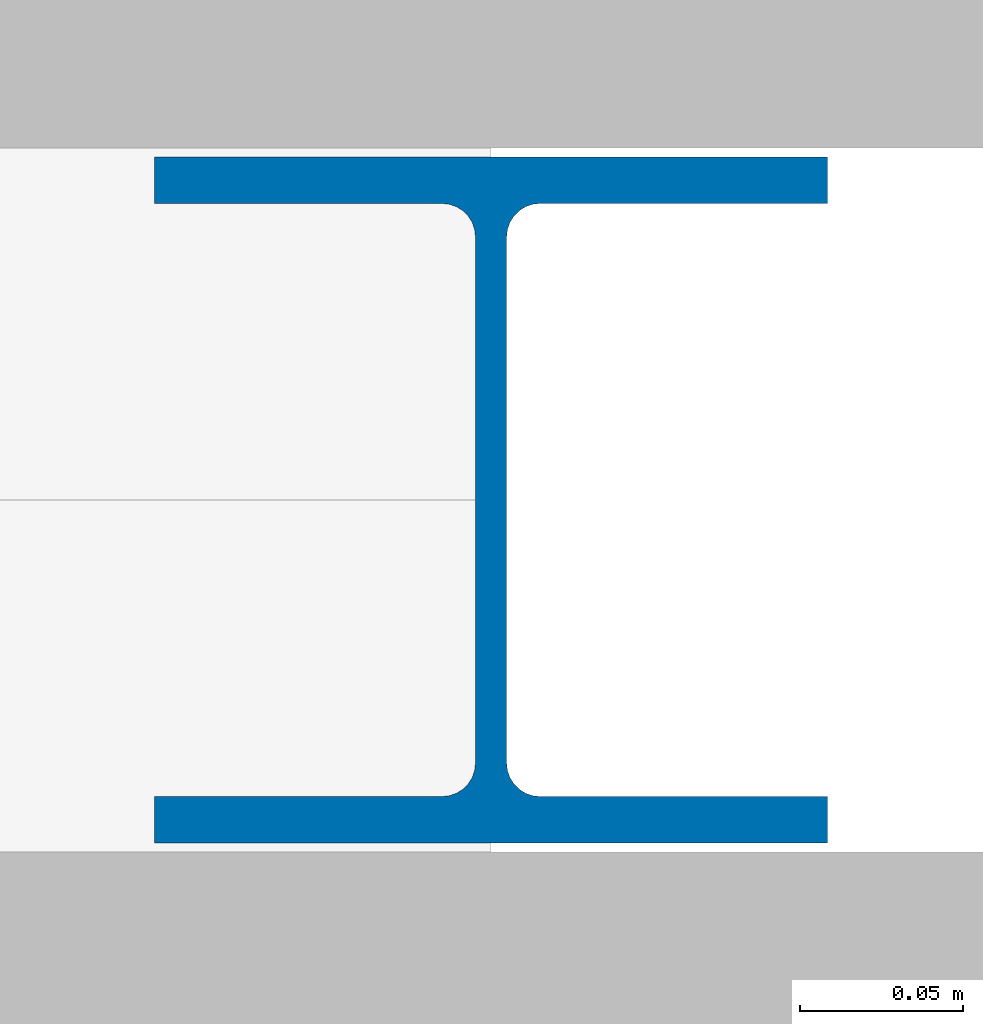
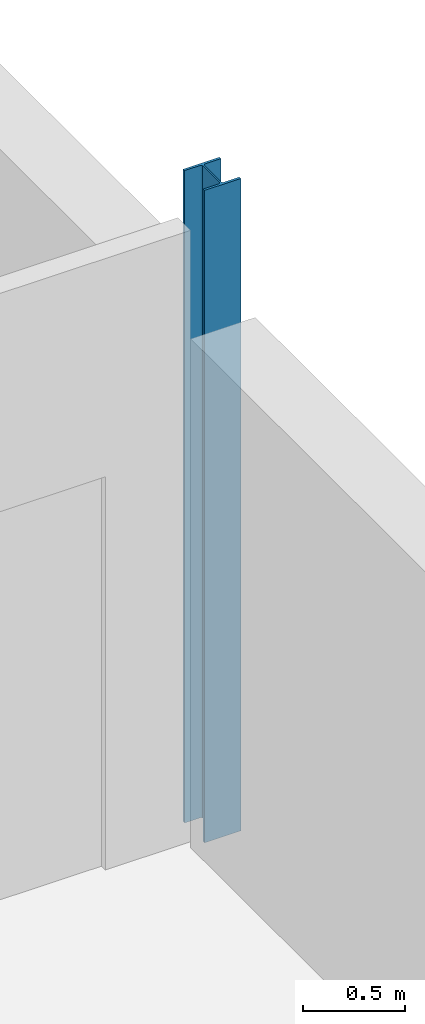
# One storey, part 5 of 35: 1 column.
"""IFC4 building model written with IfcOpenShell, lengths in metres."""

from ifc_helpers import new_model, si_unit, direction, frame, origin, origin_2d, place, context, subcontext, project, spatial, i_section, extrude, material, material_profile, profile_set, type_object, element, save


model = new_model("IFC4")

# Units and contexts
model_context = context("Model", 3, precision=1e-05, world=origin(), true_north=direction((0.0, 1.0)))
body_context = subcontext(model_context, "Body", "Model", "MODEL_VIEW")
ifc_project = project(units=[si_unit("LENGTHUNIT", "METRE"), si_unit("AREAUNIT", "SQUARE_METRE"), si_unit("VOLUMEUNIT", "CUBIC_METRE"), si_unit("PLANEANGLEUNIT", "RADIAN"), si_unit("MASSUNIT", "GRAM", prefix="KILO")], contexts=[model_context])

# Site, building, storey
site_placement = place(None, origin())
site = spatial("IfcSite", under=ifc_project, at=site_placement, CompositionType="ELEMENT")
building_placement = place(site_placement, origin())
building = spatial("IfcBuilding", under=site, at=building_placement, Name="Kisiwana Market Hall", CompositionType="ELEMENT")
storey_placement = place(building_placement, frame((0.0, 0.0, 57.89990234375)))
storey = spatial("IfcBuildingStorey", under=building, at=storey_placement, Name="L13", CompositionType="ELEMENT", Elevation=57.89990234375)

# Column
ifc_material = material(Name="Steel S355", Category="steel")
ifc_material_profile = material_profile(ifc_material, i_section(OverallWidth=0.205810546875, OverallDepth=0.209716796875, WebThickness=0.009521484375, FlangeThickness=0.01416015625, FilletRadius=0.01025390625, at=origin_2d()), Name="UC 203x203x60")
ifc_profile_set = profile_set([ifc_material_profile], Name="Steel S355")
column_type = type_object("IfcColumnType", Name="COL-STL-UC060", PredefinedType="COLUMN", material=ifc_profile_set)
column_placement = place(storey_placement, frame((36.0, 60.0, 0.0), z_axis=(0.0, 0.0, 1.0), x_axis=(1.0, 0.0, 0.0)))
element("IfcColumn", 1, at=column_placement, inside=storey, type_object=column_type, Name="Column H/5 (L13) C-1399", PredefinedType="COLUMN", context=body_context, shape_type="SweptSolid", body=[
    extrude(i_section(OverallWidth=0.205810546875, OverallDepth=0.209716796875, WebThickness=0.009521484375, FlangeThickness=0.01416015625, FilletRadius=0.01025390625, at=origin_2d()), origin(), (0.0, 0.0, 1.0), 3.900146484375),
])

save(model, "model.ifc")
